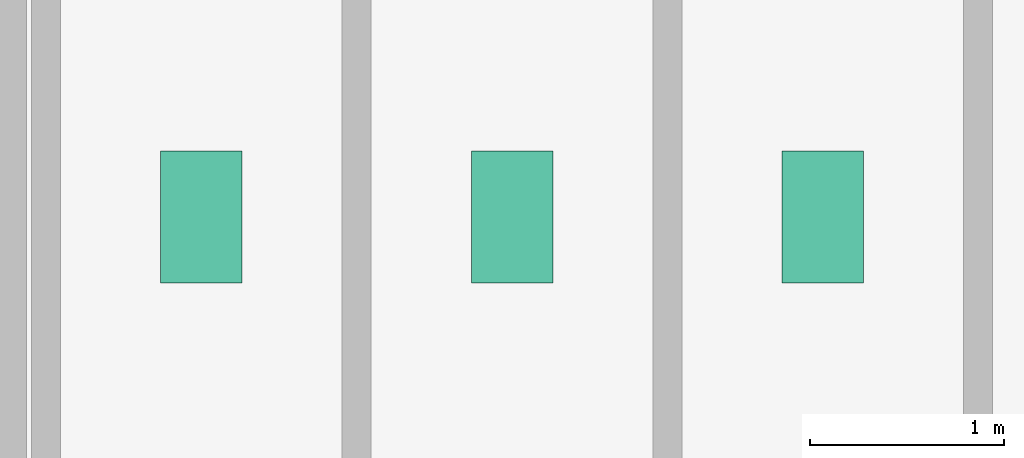
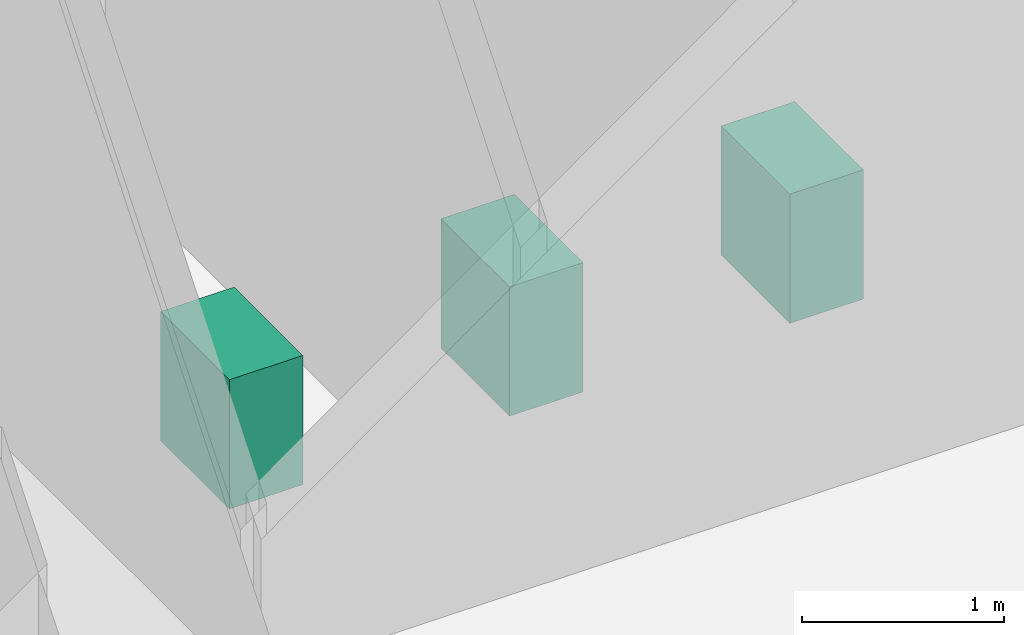
# One storey, part 23 of 23: 3 sanitary terminals.
"""IFC4 building model written with IfcOpenShell, lengths in metres."""

from ifc_helpers import new_model, si_unit, derived_unit, direction, frame, origin, origin_2d, place, context, subcontext, project, spatial, rectangle, extrude, source, transform, mapped, material, type_object, element, save


model = new_model("IFC4")

# Units and contexts
model_context = context("Model", 3, precision=1e-05, world=origin(), true_north=direction((0.0, 1.0)))
body_context = subcontext(model_context, "Body", "Model", "MODEL_VIEW")
ifc_project = project(units=[si_unit("LENGTHUNIT", "METRE"), si_unit("AREAUNIT", "SQUARE_METRE"), si_unit("VOLUMEUNIT", "CUBIC_METRE"), si_unit("PLANEANGLEUNIT", "RADIAN"), si_unit("MASSUNIT", "GRAM", prefix="KILO"), derived_unit("THERMALTRANSMITTANCEUNIT", [(si_unit("POWERUNIT", "WATT"), 1), (si_unit("LENGTHUNIT", "METRE"), -2), (si_unit("THERMODYNAMICTEMPERATUREUNIT", "KELVIN"), -1)])], contexts=[model_context])

# Site, building, storey
site_placement = place(None, origin())
site = spatial("IfcSite", under=ifc_project, at=site_placement, CompositionType="ELEMENT")
building_placement = place(site_placement, origin())
building = spatial("IfcBuilding", under=site, at=building_placement, Name="Skarnbrae Concourse Arena and Tower", CompositionType="ELEMENT")
storey_placement = place(building_placement, frame((0.0, 0.0, 47.10009765625)))
storey = spatial("IfcBuildingStorey", under=building, at=storey_placement, Name="L10", CompositionType="ELEMENT", Elevation=47.10009765625)

# Sanitary terminals
ifc_material = material(Name="Vitreous china sanitaryware", Category="other")
sanitary_terminal_type = type_object("IfcSanitaryTerminalType", Name="SAN-WC-VITREOUS", PredefinedType="TOILETPAN", material=ifc_material)
shared_shape = source(origin(), body_context, "Body", "SweptSolid", [
    extrude(rectangle(XDim=0.419921875, YDim=0.679931640625, at=origin_2d()), origin(), (0.0, 0.0, 1.0), 0.780029296875),
])
for number, where, z_axis, x_axis, name in (
    (1, (35.0, 11.39990234375, 0.0), (0.0, 0.0, 1.0), (1.0, 0.0, 0.0), "L10 Washroom WC fixture 1"),
    (2, (36.60009765625, 11.39990234375, 0.0), (0.0, 0.0, 1.0), (1.0, 0.0, 0.0), "L10 Washroom WC fixture 2"),
    (3, (38.199951171875, 11.39990234375, 0.0), (0.0, 0.0, 1.0), (1.0, 0.0, 0.0), "L10 Washroom WC fixture 3"),
):
    element("IfcSanitaryTerminal", number, at=place(storey_placement, frame(where, z_axis=z_axis, x_axis=x_axis)), inside=storey, type_object=sanitary_terminal_type, Name=name, PredefinedType="TOILETPAN", context=body_context, shape_type="MappedRepresentation", body=[
        mapped(shared_shape, transform((0.0, 0.0, 0.0))),
    ])

save(model, "model.ifc")
